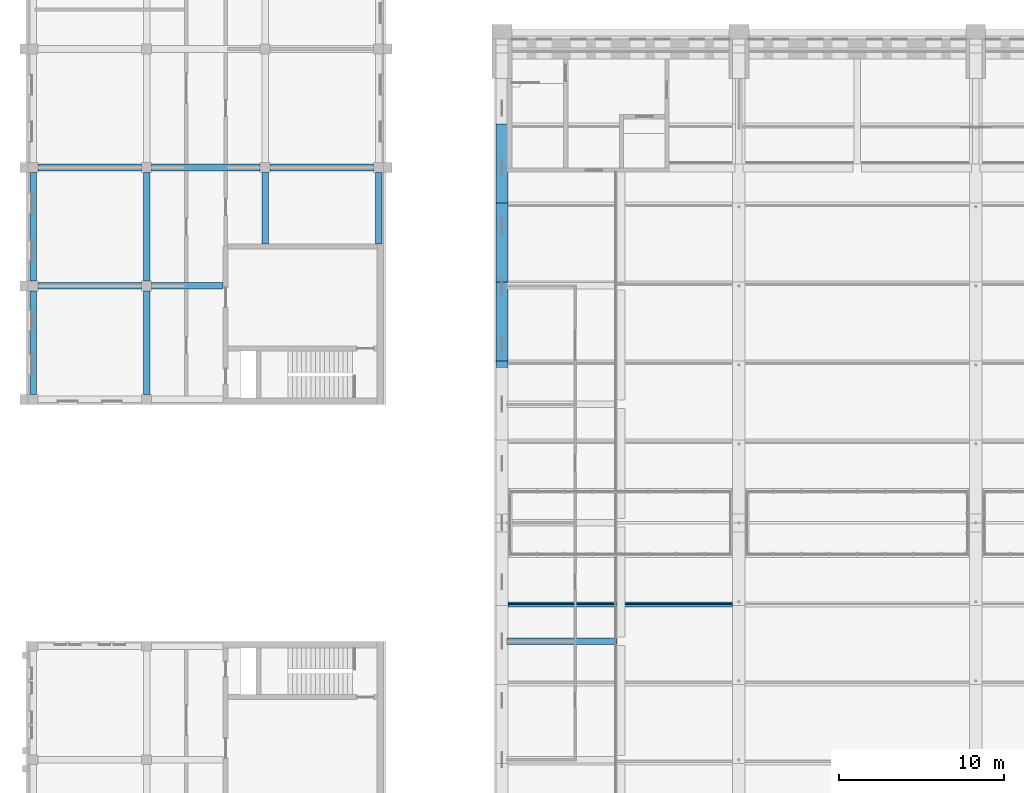
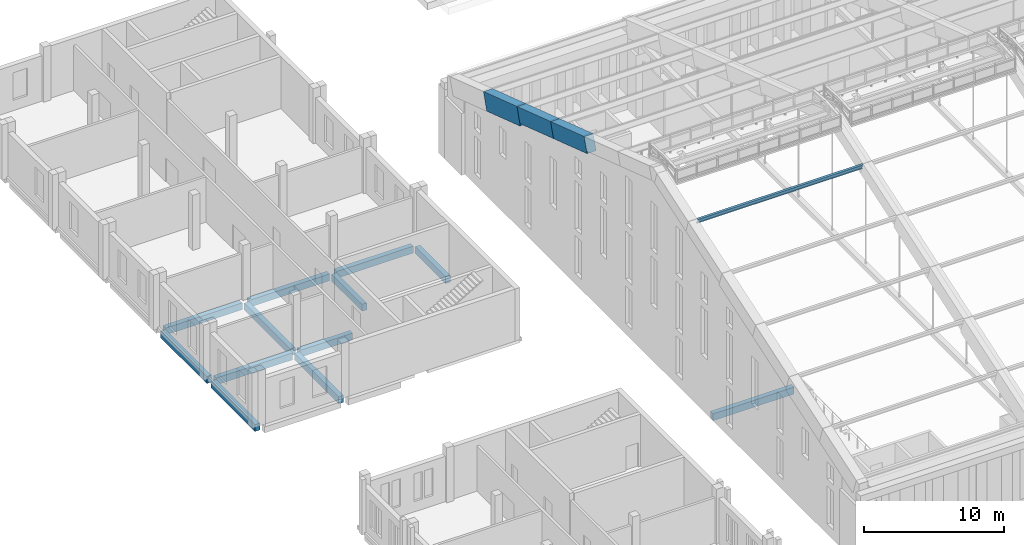
# One storey, part 29 of 149: 15 beams, 1 member.
"""IFC4 building model written with IfcOpenShell, lengths in metres."""

from ifc_helpers import new_model, si_unit, direction, frame, origin, origin_2d, place, context, subcontext, project, spatial, rectangle, i_section, extrude, material, material_profile, profile_set, type_object, element, save


model = new_model("IFC4")

# Units and contexts
model_context = context("Model", 3, precision=1e-05, world=origin(), true_north=direction((0.0, 1.0)))
body_context = subcontext(model_context, "Body", "Model", "MODEL_VIEW")
ifc_project = project(units=[si_unit("LENGTHUNIT", "METRE"), si_unit("AREAUNIT", "SQUARE_METRE"), si_unit("VOLUMEUNIT", "CUBIC_METRE"), si_unit("PLANEANGLEUNIT", "RADIAN"), si_unit("MASSUNIT", "GRAM", prefix="KILO")], contexts=[model_context])

# Site, building, storey
site_placement = place(None, origin())
site = spatial("IfcSite", under=ifc_project, at=site_placement, CompositionType="ELEMENT")
building_placement = place(site_placement, origin())
building = spatial("IfcBuilding", under=site, at=building_placement, Name="Alderwick Market Hall", CompositionType="ELEMENT")
storey_placement = place(building_placement, frame((0.0, 0.0, 9.60009765625)))
storey = spatial("IfcBuildingStorey", under=building, at=storey_placement, Name="L01", CompositionType="ELEMENT", Elevation=9.60009765625)

# Beams
ifc_material_1 = material(Name="Concrete 5000 psi (f'c 35 MPa)", Category="concrete")
ifc_material_profile_1 = material_profile(ifc_material_1, rectangle(XDim=0.39990234375, YDim=0.60009765625, at=origin_2d()), Name="B RC Beam 400x600")
ifc_profile_set_1 = profile_set([ifc_material_profile_1], Name="Concrete 5000 psi (f'c 35 MPa)")
beam_type_1 = type_object("IfcBeamType", Name="B RC Beam 400x600", PredefinedType="BEAM", material=ifc_profile_set_1)
beam_1_placement = place(storey_placement, frame((22.199951171875, 100.800048828125, -0.550048828125), z_axis=(1.0, 0.0, 0.0), x_axis=(0.0, 1.0, 0.0)))
element("IfcBeam", 1, at=beam_1_placement, inside=storey, type_object=beam_type_1, Name="B.N.beam.L01.u288-0006", PredefinedType="BEAM", context=body_context, shape_type="SweptSolid", body=[
    extrude(rectangle(XDim=0.39990234375, YDim=0.60009765625, at=origin_2d()), origin(), (0.0, 0.0, 1.0), 6.300048828125),
])
beam_2_placement = place(storey_placement, frame((29.10009765625, 100.800048828125, -0.550048828125), z_axis=(1.0, 0.0, 0.0), x_axis=(0.0, 1.0, 0.0)))
element("IfcBeam", 2, at=beam_2_placement, inside=storey, type_object=beam_type_1, Name="B.N.beam.L01.u288-0075", PredefinedType="BEAM", context=body_context, shape_type="SweptSolid", body=[
    extrude(rectangle(XDim=0.39990234375, YDim=0.60009765625, at=origin_2d()), origin(), (0.0, 0.0, 1.0), 6.599853515625),
])
for number, where, z_axis, x_axis, name in (
    (3, (36.300048828125, 100.800048828125, -0.550048828125), (1.0, 0.0, 0.0), (0.0, 1.0, 0.0), "B.N.beam.L01.u288-0147"),
    (4, (22.199951171875, 93.60009765625, -0.550048828125), (1.0, 0.0, 0.0), (0.0, 1.0, 0.0), "B.N.beam.L01.u360-0006"),
):
    element("IfcBeam", number, at=place(storey_placement, frame(where, z_axis=z_axis, x_axis=x_axis)), inside=storey, type_object=beam_type_1, Name=name, PredefinedType="BEAM", context=body_context, shape_type="SweptSolid", body=[
        extrude(rectangle(XDim=0.39990234375, YDim=0.60009765625, at=origin_2d()), origin(), (0.0, 0.0, 1.0), 6.300048828125),
    ])
beam_3_placement = place(storey_placement, frame((29.10009765625, 93.60009765625, -0.550048828125), z_axis=(1.0, 0.0, 0.0), x_axis=(0.0, 1.0, 0.0)))
element("IfcBeam", 5, at=beam_3_placement, inside=storey, type_object=beam_type_1, Name="B.N.beam.L01.u360-0075", PredefinedType="BEAM", context=body_context, shape_type="SweptSolid", body=[
    extrude(rectangle(XDim=0.39990234375, YDim=0.60009765625, at=origin_2d()), origin(), (0.0, 0.0, 1.0), 4.349853515625),
])
beam_4_placement = place(storey_placement, frame((21.89990234375, 100.5, -0.550048828125), z_axis=(0.0, -1.0, 0.0), x_axis=(1.0, 0.0, 0.0)))
element("IfcBeam", 6, at=beam_4_placement, inside=storey, type_object=beam_type_1, Name="B.N.beam.L01.w003-0291", PredefinedType="BEAM", context=body_context, shape_type="SweptSolid", body=[
    extrude(rectangle(XDim=0.39990234375, YDim=0.60009765625, at=origin_2d()), origin(), (0.0, 0.0, 1.0), 6.60009765625),
])
beam_5_placement = place(storey_placement, frame((21.89990234375, 93.300048828125, -0.550048828125), z_axis=(0.0, -1.0, 0.0), x_axis=(1.0, 0.0, 0.0)))
element("IfcBeam", 7, at=beam_5_placement, inside=storey, type_object=beam_type_1, Name="B.N.beam.L01.w003-0363", PredefinedType="BEAM", context=body_context, shape_type="SweptSolid", body=[
    extrude(rectangle(XDim=0.39990234375, YDim=0.60009765625, at=origin_2d()), origin(), (0.0, 0.0, 1.0), 6.300048828125),
])
beam_6_placement = place(storey_placement, frame((28.800048828125, 100.5, -0.550048828125), z_axis=(0.0, -1.0, 0.0), x_axis=(1.0, 0.0, 0.0)))
element("IfcBeam", 8, at=beam_6_placement, inside=storey, type_object=beam_type_1, Name="B.N.beam.L01.w072-0291", PredefinedType="BEAM", context=body_context, shape_type="SweptSolid", body=[
    extrude(rectangle(XDim=0.39990234375, YDim=0.60009765625, at=origin_2d()), origin(), (0.0, 0.0, 1.0), 6.60009765625),
])
beam_7_placement = place(storey_placement, frame((28.800048828125, 93.300048828125, -0.550048828125), z_axis=(0.0, -1.0, 0.0), x_axis=(1.0, 0.0, 0.0)))
element("IfcBeam", 9, at=beam_7_placement, inside=storey, type_object=beam_type_1, Name="B.N.beam.L01.w072-0363", PredefinedType="BEAM", context=body_context, shape_type="SweptSolid", body=[
    extrude(rectangle(XDim=0.39990234375, YDim=0.60009765625, at=origin_2d()), origin(), (0.0, 0.0, 1.0), 6.300048828125),
])
for number, where, z_axis, x_axis, name in (
    (10, (36.0, 100.5, -0.550048828125), (0.0, -1.0, 0.0), (1.0, 0.0, 0.0), "B.N.beam.L01.w144-0291"),
    (11, (42.89990234375, 100.5, -0.550048828125), (0.0, -1.0, 0.0), (1.0, 0.0, 0.0), "B.N.beam.L01.w213-0291"),
):
    element("IfcBeam", number, at=place(storey_placement, frame(where, z_axis=z_axis, x_axis=x_axis)), inside=storey, type_object=beam_type_1, Name=name, PredefinedType="BEAM", context=body_context, shape_type="SweptSolid", body=[
        extrude(rectangle(XDim=0.39990234375, YDim=0.60009765625, at=origin_2d()), origin(), (0.0, 0.0, 1.0), 4.35009765625),
    ])
ifc_material_profile_2 = material_profile(ifc_material_1, rectangle(XDim=0.39990234375, YDim=0.60009765625, at=origin_2d()), Name="RC 400x600")
ifc_profile_set_2 = profile_set([ifc_material_profile_2], Name="Concrete 5000 psi (f'c 35 MPa)")
beam_type_2 = type_object("IfcBeamType", Name="H Gallery beam 400x600", PredefinedType="BEAM", material=ifc_profile_set_2)
beam_8_placement = place(storey_placement, frame((50.699951171875, 72.0, -0.550048828125), z_axis=(1.0, 0.0, 0.0), x_axis=(0.0, 1.0, 0.0)))
element("IfcBeam", 12, at=beam_8_placement, inside=storey, type_object=beam_type_2, Name="Gallery beam W", PredefinedType="BEAM", context=body_context, shape_type="SweptSolid", body=[
    extrude(rectangle(XDim=0.39990234375, YDim=0.60009765625, at=origin_2d()), origin(), (0.0, 0.0, 1.0), 6.68994140625),
])
ifc_material_profile_3 = material_profile(ifc_material_1, rectangle(XDim=0.75, YDim=1.300048828125, at=origin_2d()), Name="RC 750x1300")
ifc_profile_set_3 = profile_set([ifc_material_profile_3], Name="Concrete 5000 psi (f'c 35 MPa)")
beam_type_3 = type_object("IfcBeamType", Name="R Arch Rib Haunch 750x1300", PredefinedType="BEAM", material=ifc_profile_set_3)
beam_9_placement = place(storey_placement, frame((50.39990234375, 88.83154296875, 13.0947265625), z_axis=(0.0, 0.948692948114, -0.316198814353), x_axis=(-1.0, 0.0, 0.0)))
element("IfcBeam", 13, at=beam_9_placement, inside=storey, type_object=beam_type_3, Name="Arch rib 1 chord 9", PredefinedType="BEAM", context=body_context, shape_type="SweptSolid", body=[
    extrude(rectangle(XDim=0.75, YDim=1.300048828125, at=origin_2d()), origin(), (0.0, 0.0, 1.0), 5.0595703125),
])
beam_10_placement = place(storey_placement, frame((50.39990234375, 93.631591796875, 11.494873046875), z_axis=(0.0, 0.948678472761, -0.316242241517), x_axis=(-1.0, 0.0, 0.0)))
element("IfcBeam", 14, at=beam_10_placement, inside=storey, type_object=beam_type_3, Name="Arch rib 1 chord 10", PredefinedType="BEAM", context=body_context, shape_type="SweptSolid", body=[
    extrude(rectangle(XDim=0.75, YDim=1.300048828125, at=origin_2d()), origin(), (0.0, 0.0, 1.0), 5.059814453125),
])
ifc_material_profile_4 = material_profile(ifc_material_1, rectangle(XDim=0.75, YDim=1.5, at=origin_2d()), Name="RC 750x1500")
ifc_profile_set_4 = profile_set([ifc_material_profile_4], Name="Concrete 5000 psi (f'c 35 MPa)")
beam_type_4 = type_object("IfcBeamType", Name="R Arch Rib Springing 750x1500", PredefinedType="BEAM", material=ifc_profile_set_4)
beam_11_placement = place(storey_placement, frame((50.39990234375, 98.39990234375, 9.7998046875), z_axis=(0.0, 0.948692948114, -0.316198814353), x_axis=(-1.0, 0.0, 0.0)))
element("IfcBeam", 15, at=beam_11_placement, inside=storey, type_object=beam_type_4, Name="Arch rib 1 chord 11", PredefinedType="BEAM", context=body_context, shape_type="SweptSolid", body=[
    extrude(rectangle(XDim=0.75, YDim=1.5, at=origin_2d()), origin(), (0.0, 0.0, 1.0), 5.0595703125),
])

# Member
ifc_material_2 = material(Name="Steel ASTM A992 Grade 50", Category="steel")
ifc_material_profile_5 = material_profile(ifc_material_2, i_section(OverallWidth=0.153076171875, OverallDepth=0.455078125, WebThickness=0.008056640625, FlangeThickness=0.01318359375, at=origin_2d()), Name="W18x40")
ifc_profile_set_5 = profile_set([ifc_material_profile_5], Name="Steel ASTM A992 Grade 50")
member_type = type_object("IfcMemberType", Name="R Purlin W18x40", PredefinedType="PURLIN", material=ifc_profile_set_5)
member_placement = place(storey_placement, frame((50.77490234375, 74.236572265625, 15.08984375), z_axis=(1.0, 0.0, 0.0), x_axis=(0.0, 0.948683297073, 0.316227768949)))
element("IfcMember", 16, at=member_placement, inside=storey, type_object=member_type, Name="Roof purlin 6.1", PredefinedType="PURLIN", context=body_context, shape_type="SweptSolid", body=[
    extrude(i_section(OverallWidth=0.153076171875, OverallDepth=0.455078125, WebThickness=0.008056640625, FlangeThickness=0.01318359375, at=origin_2d()), origin(), (0.0, 0.0, 1.0), 13.650146484375),
])

save(model, "model.ifc")
